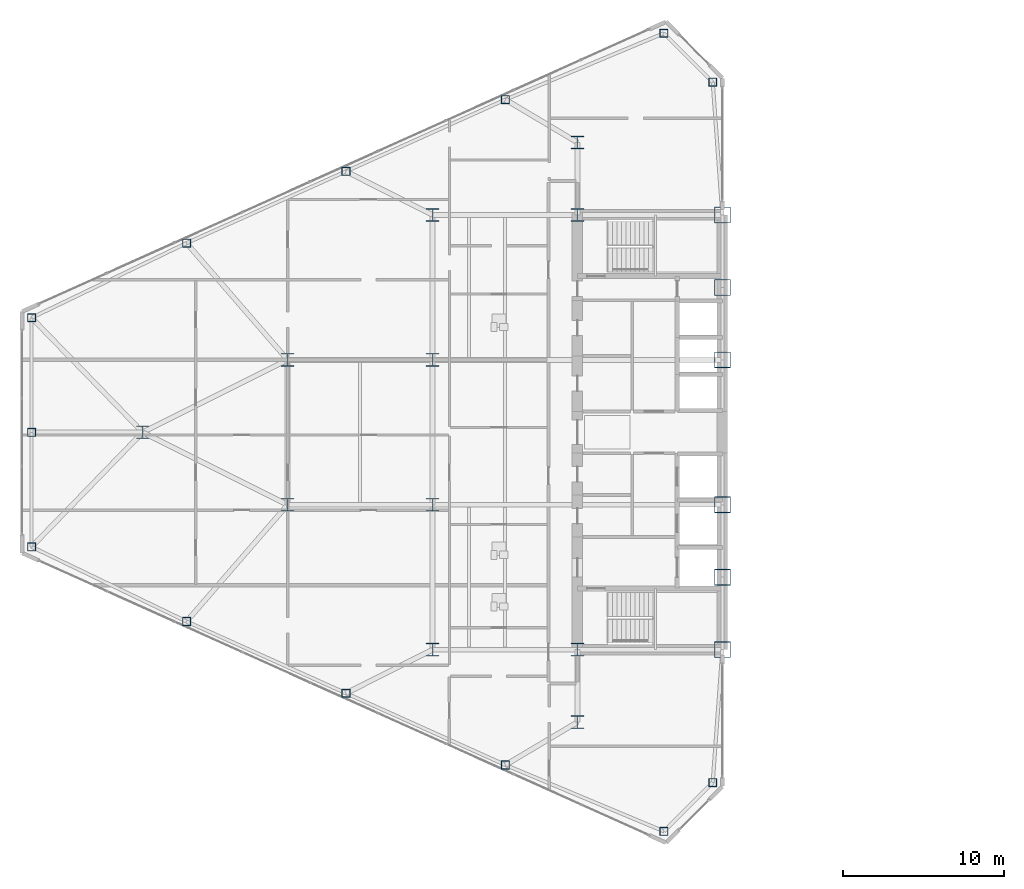
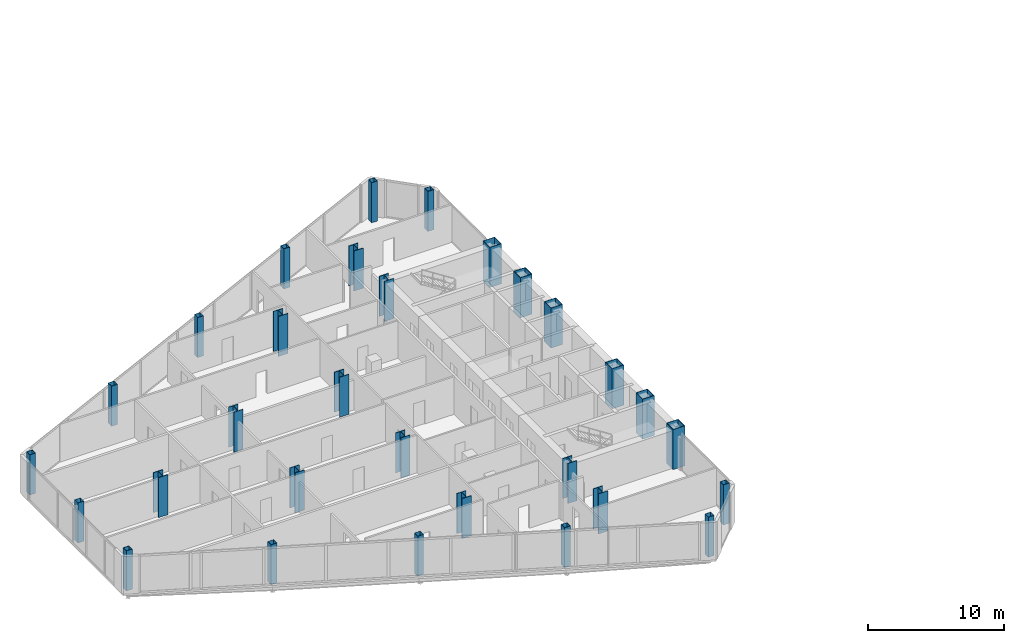
# One storey, part 1 of 27: 30 columns.
"""IFC4 building model written with IfcOpenShell, lengths in metres."""

from ifc_helpers import new_model, si_unit, direction, frame, origin, origin_2d, place, context, subcontext, project, spatial, hollow_rectangle, i_section, extrude, source, transform, mapped, material, material_profile, profile_set, type_object, type_shapes, element, save


model = new_model("IFC4")

# Units and contexts
model_context = context("Model", 3, precision=1e-05, world=origin(), true_north=direction((0.0, 1.0)))
body_context = subcontext(model_context, "Body", "Model", "MODEL_VIEW")
ifc_project = project(units=[si_unit("LENGTHUNIT", "METRE"), si_unit("AREAUNIT", "SQUARE_METRE"), si_unit("VOLUMEUNIT", "CUBIC_METRE"), si_unit("PLANEANGLEUNIT", "RADIAN"), si_unit("MASSUNIT", "GRAM", prefix="KILO")], contexts=[model_context])

# Site, building, storey
site_placement = place(None, origin())
site = spatial("IfcSite", under=ifc_project, at=site_placement, CompositionType="ELEMENT")
building_placement = place(site_placement, origin())
building = spatial("IfcBuilding", under=site, at=building_placement, Name="Seokmaru Belvedere", CompositionType="ELEMENT")
storey_placement = place(building_placement, frame((0.0, 0.0, 72.89990234375)))
storey = spatial("IfcBuildingStorey", under=building, at=storey_placement, Name="L19", CompositionType="ELEMENT", Elevation=72.89990234375)

# Columns
ifc_material_1 = material(Name="Steel SM355 (355 MPa)", Category="steel")
ifc_material_profile_1 = material_profile(ifc_material_1, hollow_rectangle(XDim=0.5, YDim=0.5, WallThickness=0.02001953125, at=origin_2d()), Name="HSS-500x500x20")
ifc_profile_set_1 = profile_set([ifc_material_profile_1], Name="Steel SM355 (355 MPa)")
column_type_1 = type_object("IfcColumnType", Name="Perimeter Facet Column HSS-500", PredefinedType="COLUMN", material=ifc_profile_set_1)
shared_shape_1 = source(origin(), body_context, "Body", "SweptSolid", [
    extrude(hollow_rectangle(XDim=0.5, YDim=0.5, WallThickness=0.02001953125, at=origin_2d()), origin(), (0.0, 0.0, 1.0), 3.60009765625),
])
type_shapes(column_type_1, [shared_shape_1])
for number, where, z_axis, x_axis, name in (
    (1, (-28.10009765625, -21.75146484375, 0.0), (0.0, 0.0, 1.0), (1.0, 0.0, 0.0), "L19 Column WF1"),
    (2, (-28.10009765625, 21.75146484375, 0.0), (0.0, 0.0, 1.0), (1.0, 0.0, 0.0), "L19 Column WF2"),
    (3, (-31.13134765625, 24.782958984375, 0.0), (0.0, 0.0, 1.0), (1.0, 0.0, 0.0), "L19 Column WF3"),
    (4, (-70.39990234375, 7.112060546875, 0.0), (0.0, 0.0, 1.0), (1.0, 0.0, 0.0), "L19 Column WF4"),
    (5, (-70.39990234375, -7.112060546875, 0.0), (0.0, 0.0, 1.0), (1.0, 0.0, 0.0), "L19 Column WF5"),
    (6, (-31.13134765625, -24.782958984375, 0.0), (0.0, 0.0, 1.0), (1.0, 0.0, 0.0), "L19 Column WF6"),
    (7, (-40.97265625, -20.661376953125, 0.0), (0.0, 0.0, 1.0), (1.0, 0.0, 0.0), "L19 Column WFLK_S1"),
    (8, (-50.875, -16.205322265625, 0.0), (0.0, 0.0, 1.0), (1.0, 0.0, 0.0), "L19 Column WFLK_S2"),
    (9, (-60.777587890625, -11.749267578125, 0.0), (0.0, 0.0, 1.0), (1.0, 0.0, 0.0), "L19 Column WFLK_S3"),
    (10, (-40.97265625, 20.661376953125, 0.0), (0.0, 0.0, 1.0), (1.0, 0.0, 0.0), "L19 Column WFLK_N1"),
    (11, (-50.875, 16.205322265625, 0.0), (0.0, 0.0, 1.0), (1.0, 0.0, 0.0), "L19 Column WFLK_N2"),
    (12, (-60.777587890625, 11.749267578125, 0.0), (0.0, 0.0, 1.0), (1.0, 0.0, 0.0), "L19 Column WFLK_N3"),
    (13, (-70.39990234375, 0.0, 0.0), (0.0, 0.0, 1.0), (1.0, 0.0, 0.0), "L19 Column WF_APXM"),
):
    element("IfcColumn", number, at=place(storey_placement, frame(where, z_axis=z_axis, x_axis=x_axis)), inside=storey, type_object=column_type_1, Name=name, PredefinedType="COLUMN", context=body_context, shape_type="MappedRepresentation", body=[
        mapped(shared_shape_1, transform((0.0, 0.0, 0.0), scale=1.0)),
    ])
ifc_material_2 = material(Name="Steel HSA650 (650 MPa)", Category="steel")
ifc_material_profile_2 = material_profile(ifc_material_2, hollow_rectangle(XDim=1.0, YDim=1.0, WallThickness=0.0419921875, at=origin_2d()), Name="BOX-1000x1000x42")
ifc_profile_set_2 = profile_set([ifc_material_profile_2], Name="Steel HSA650 (650 MPa)")
column_type_2 = type_object("IfcColumnType", Name="Portal Spine Column BOX-1000", PredefinedType="COLUMN", material=ifc_profile_set_2)
shared_shape_2 = source(origin(), body_context, "Body", "SweptSolid", [
    extrude(hollow_rectangle(XDim=1.0, YDim=1.0, WallThickness=0.0419921875, at=origin_2d()), origin(), (0.0, 0.0, 1.0), 3.60009765625),
])
type_shapes(column_type_2, [shared_shape_2])
for number, where, z_axis, x_axis, name in (
    (14, (-27.5, -13.5, 0.0), (0.0, 0.0, 1.0), (1.0, 0.0, 0.0), "L19 Column WS1"),
    (15, (-27.5, -9.0, 0.0), (0.0, 0.0, 1.0), (1.0, 0.0, 0.0), "L19 Column WS2"),
    (16, (-27.5, -4.5, 0.0), (0.0, 0.0, 1.0), (1.0, 0.0, 0.0), "L19 Column WS3"),
    (17, (-27.5, 4.5, 0.0), (0.0, 0.0, 1.0), (1.0, 0.0, 0.0), "L19 Column WS4"),
    (18, (-27.5, 9.0, 0.0), (0.0, 0.0, 1.0), (1.0, 0.0, 0.0), "L19 Column WS5"),
    (19, (-27.5, 13.5, 0.0), (0.0, 0.0, 1.0), (1.0, 0.0, 0.0), "L19 Column WS6"),
):
    element("IfcColumn", number, at=place(storey_placement, frame(where, z_axis=z_axis, x_axis=x_axis)), inside=storey, type_object=column_type_2, Name=name, PredefinedType="COLUMN", context=body_context, shape_type="MappedRepresentation", body=[
        mapped(shared_shape_2, transform((0.0, 0.0, 0.0), scale=1.0)),
    ])
ifc_material_profile_3 = material_profile(ifc_material_1, i_section(OverallWidth=0.800048828125, OverallDepth=0.800048828125, WebThickness=0.031982421875, FlangeThickness=0.050048828125, at=origin_2d()), Name="H-800x800x32x50")
ifc_profile_set_3 = profile_set([ifc_material_profile_3], Name="Steel SM355 (355 MPa)")
column_type_3 = type_object("IfcColumnType", Name="Lower-Mid Interior Column H-800", PredefinedType="COLUMN", material=ifc_profile_set_3)
shared_shape_3 = source(origin(), body_context, "Body", "SweptSolid", [
    extrude(i_section(OverallWidth=0.800048828125, OverallDepth=0.800048828125, WebThickness=0.031982421875, FlangeThickness=0.050048828125, at=origin_2d()), origin(), (0.0, 0.0, 1.0), 3.60009765625),
])
type_shapes(column_type_3, [shared_shape_3])
for number, where, z_axis, x_axis, name in (
    (20, (-36.5, -18.0, 0.0), (0.0, 0.0, 1.0), (1.0, 0.0, 0.0), "L19 Column WC1"),
    (21, (-36.5, -13.5, 0.0), (0.0, 0.0, 1.0), (1.0, 0.0, 0.0), "L19 Column WC2"),
    (22, (-36.5, 13.5, 0.0), (0.0, 0.0, 1.0), (1.0, 0.0, 0.0), "L19 Column WC3"),
    (23, (-36.5, 18.0, 0.0), (0.0, 0.0, 1.0), (1.0, 0.0, 0.0), "L19 Column WC4"),
    (24, (-45.5, -13.5, 0.0), (0.0, 0.0, 1.0), (1.0, 0.0, 0.0), "L19 Column WG5_1"),
    (25, (-45.5, -4.5, 0.0), (0.0, 0.0, 1.0), (1.0, 0.0, 0.0), "L19 Column WG5_2"),
    (26, (-45.5, 4.5, 0.0), (0.0, 0.0, 1.0), (1.0, 0.0, 0.0), "L19 Column WG5_3"),
    (27, (-45.5, 13.5, 0.0), (0.0, 0.0, 1.0), (1.0, 0.0, 0.0), "L19 Column WG5_4"),
    (28, (-54.5, -4.5, 0.0), (0.0, 0.0, 1.0), (1.0, 0.0, 0.0), "L19 Column WG4P_1"),
    (29, (-54.5, 4.5, 0.0), (0.0, 0.0, 1.0), (1.0, 0.0, 0.0), "L19 Column WG4P_2"),
    (30, (-63.5, 0.0, 0.0), (0.0, 0.0, 1.0), (1.0, 0.0, 0.0), "L19 Column WG3P_1"),
):
    element("IfcColumn", number, at=place(storey_placement, frame(where, z_axis=z_axis, x_axis=x_axis)), inside=storey, type_object=column_type_3, Name=name, PredefinedType="COLUMN", context=body_context, shape_type="MappedRepresentation", body=[
        mapped(shared_shape_3, transform((0.0, 0.0, 0.0), scale=1.0)),
    ])

save(model, "model.ifc")
